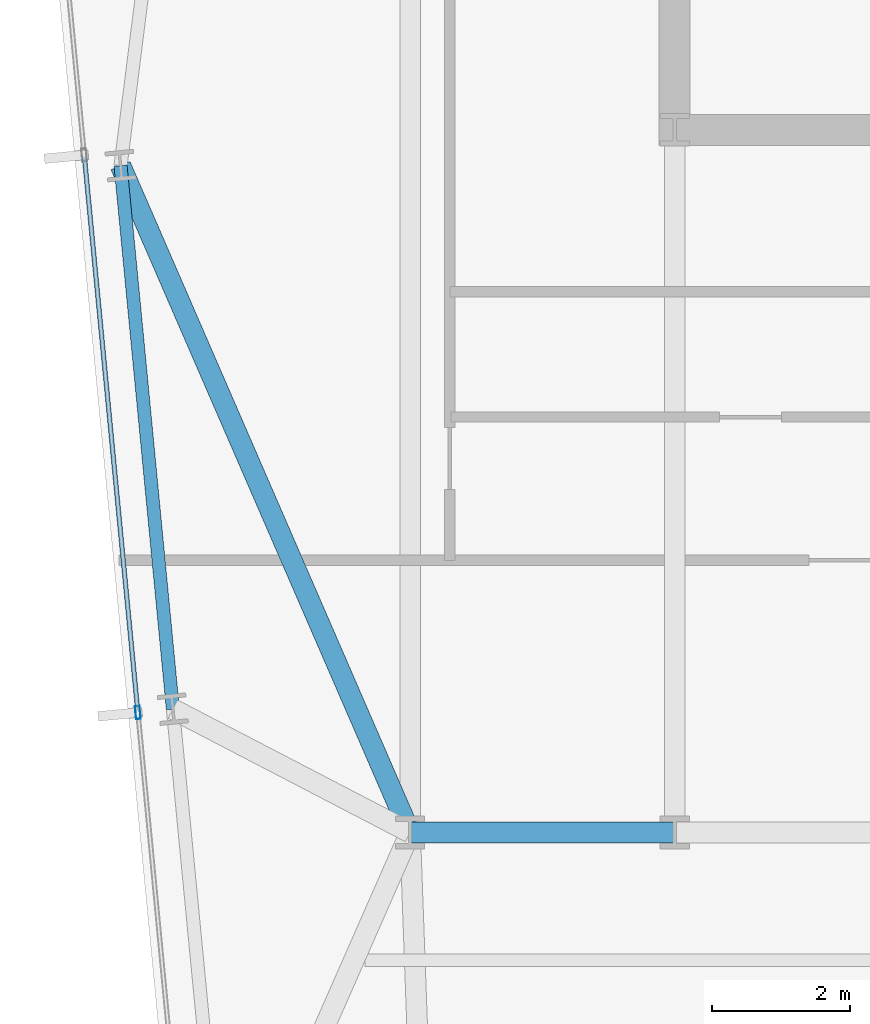
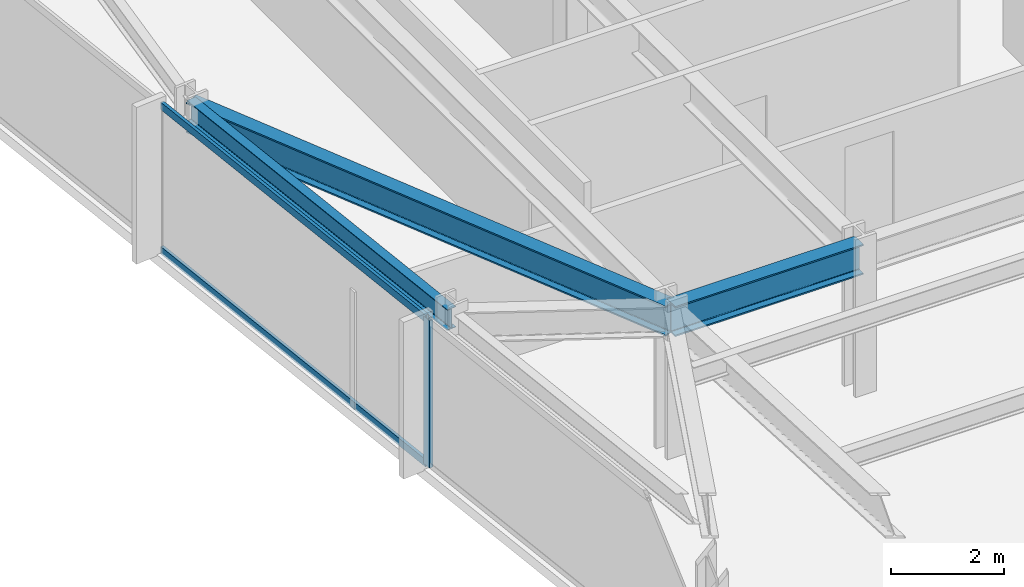
# One storey, part 6 of 32: 3 beams, 3 members, 1 element without a shape of its own.
"""IFC4 building model written with IfcOpenShell, lengths in metres."""

from ifc_helpers import new_model, si_unit, direction, frame, origin, origin_2d, place, context, subcontext, project, spatial, hollow_rectangle, i_section, extrude, material, material_profile, profile_set, type_object, element, aggregate, save


model = new_model("IFC4")

# Units and contexts
model_context = context("Model", 3, precision=1e-05, world=origin(), true_north=direction((0.0, 1.0)))
body_context = subcontext(model_context, "Body", "Model", "MODEL_VIEW")
ifc_project = project(units=[si_unit("LENGTHUNIT", "METRE"), si_unit("AREAUNIT", "SQUARE_METRE"), si_unit("VOLUMEUNIT", "CUBIC_METRE"), si_unit("PLANEANGLEUNIT", "RADIAN"), si_unit("MASSUNIT", "GRAM", prefix="KILO")], contexts=[model_context])

# Site, building, storey
site_placement = place(None, origin())
site = spatial("IfcSite", under=ifc_project, at=site_placement, CompositionType="ELEMENT")
building_placement = place(site_placement, origin())
building = spatial("IfcBuilding", under=site, at=building_placement, Name="Yelkora Congress Tower", CompositionType="ELEMENT")
storey_placement = place(building_placement, frame((0.0, 0.0, 113.5)))
storey = spatial("IfcBuildingStorey", under=building, at=storey_placement, Name="L30", CompositionType="ELEMENT", Elevation=113.5)

# Beams
ifc_material_1 = material(Name="Steel S355J2", Category="steel")
ifc_material_profile_1 = material_profile(ifc_material_1, i_section(OverallWidth=0.300048828125, OverallDepth=0.64990234375, WebThickness=0.01611328125, FlangeThickness=0.031005859375, FilletRadius=0.027099609375, at=origin_2d()), Name="HEB 650")
ifc_profile_set_1 = profile_set([ifc_material_profile_1], Name="Steel S355J2")
beam_type_1 = type_object("IfcBeamType", Name="BM-GIRD-HEB650", PredefinedType="BEAM", material=ifc_profile_set_1)
beam_1_placement = place(storey_placement, frame((19.199951171875, 25.199951171875, 2.85498046875), z_axis=(1.0, 0.0, 0.0), x_axis=(0.0, 1.0, 0.0)))
element("IfcBeam", 1, at=beam_1_placement, inside=storey, type_object=beam_type_1, Name="L30 Spine Grid D Girder 1", PredefinedType="BEAM", context=body_context, shape_type="SweptSolid", body=[
    extrude(i_section(OverallWidth=0.300048828125, OverallDepth=0.64990234375, WebThickness=0.01611328125, FlangeThickness=0.031005859375, FilletRadius=0.027099609375, at=origin_2d()), origin(), (0.0, 0.0, 1.0), 3.840087890625),
])
beam_2_placement = place(storey_placement, frame((14.997314453125, 34.87890625, 2.85498046875), z_axis=(0.398279362914, -0.917264165373, 0.0), x_axis=(0.917264165373, 0.398279362914, 0.0)))
element("IfcBeam", 2, at=beam_2_placement, inside=storey, type_object=beam_type_1, Name="L30 Primary Frame Girder W03", PredefinedType="BEAM", context=body_context, shape_type="SweptSolid", body=[
    extrude(i_section(OverallWidth=0.300048828125, OverallDepth=0.64990234375, WebThickness=0.01611328125, FlangeThickness=0.031005859375, FilletRadius=0.027099609375, at=origin_2d()), origin(), (0.0, 0.0, 1.0), 10.552001953125),
])
ifc_material_profile_2 = material_profile(ifc_material_1, i_section(OverallWidth=0.18994140625, OverallDepth=0.449951171875, WebThickness=0.009521484375, FlangeThickness=0.0146484375, FilletRadius=0.02099609375, at=origin_2d()), Name="IPE 450")
ifc_profile_set_2 = profile_set([ifc_material_profile_2], Name="Steel S355J2")
beam_type_2 = type_object("IfcBeamType", Name="BM-SPAN-IPE450", PredefinedType="SPANDREL", material=ifc_profile_set_2)
beam_3_placement = place(storey_placement, frame((14.997314453125, 34.87890625, 2.955078125), z_axis=(0.095870310714, -0.995393833376, 0.0), x_axis=(0.995393833376, 0.095870310714, 0.0)))
element("IfcBeam", 3, at=beam_3_placement, inside=storey, type_object=beam_type_2, Name="L30 Perimeter Beam 19", PredefinedType="SPANDREL", context=body_context, shape_type="SweptSolid", body=[
    extrude(i_section(OverallWidth=0.18994140625, OverallDepth=0.449951171875, WebThickness=0.009521484375, FlangeThickness=0.0146484375, FilletRadius=0.02099609375, at=origin_2d()), origin(), (0.0, 0.0, 1.0), 7.925048828125),
])

# Curtain wall, members
ifc_material_2 = material(Name="Anodised aluminium and insulated glass", Category="aluminium")
curtain_wall_type = type_object("IfcCurtainWallType", Name="CW-SYS-B2", PredefinedType="NOTDEFINED", material=ifc_material_2)
curtain_wall_placement = place(storey_placement, origin())
curtain_wall = element("IfcCurtainWall", 4, at=curtain_wall_placement, inside=storey, type_object=curtain_wall_type, Name="L30 Unitised Curtain Wall 5", PredefinedType="NOTDEFINED")
ifc_material_3 = material(Name="Anodised aluminium 6063-T6", Category="aluminium")
ifc_material_profile_3 = material_profile(ifc_material_3, hollow_rectangle(XDim=0.070068359375, YDim=0.18994140625, WallThickness=0.00390625, at=origin_2d()), Name="ALU 70x190x4")
ifc_profile_set_3 = profile_set([ifc_material_profile_3], Name="Anodised aluminium 6063-T6")
member_type_1 = type_object("IfcMemberType", Name="MEM-ML-B2", PredefinedType="MULLION", material=ifc_profile_set_3)
member_1_placement = place(storey_placement, frame((15.249267578125, 26.941650390625, 0.0), z_axis=(0.0, 0.0, 1.0), x_axis=(-0.995396507508, -0.095842541913, 0.0)))
member_1 = element("IfcMember", 5, at=member_1_placement, type_object=member_type_1, Name="CW-B2 mullion 3", PredefinedType="MULLION", context=body_context, shape_type="SweptSolid", body=[
    extrude(hollow_rectangle(XDim=0.070068359375, YDim=0.18994140625, WallThickness=0.00390625, at=origin_2d()), origin(), (0.0, 0.0, 1.0), 3.179931640625),
])
ifc_material_profile_4 = material_profile(ifc_material_3, hollow_rectangle(XDim=0.06494140625, YDim=0.159912109375, WallThickness=0.00390625, at=origin_2d()), Name="ALU 65x160x4")
ifc_profile_set_4 = profile_set([ifc_material_profile_4], Name="Anodised aluminium 6063-T6")
member_type_2 = type_object("IfcMemberType", Name="MEM-TR-B2", PredefinedType="USERDEFINED", material=ifc_profile_set_4)
member_2_placement = place(storey_placement, frame((15.245849609375, 26.976318359375, 0.032470703125), z_axis=(-0.095838228465, 0.995396922823, 0.0), x_axis=(-0.995396922823, -0.095838228465, 0.0)))
member_2 = element("IfcMember", 6, at=member_2_placement, type_object=member_type_2, Name="CW-B2 transom 3.1", ObjectType="TRANSOM", PredefinedType="USERDEFINED", context=body_context, shape_type="SweptSolid", body=[
    extrude(hollow_rectangle(XDim=0.06494140625, YDim=0.159912109375, WallThickness=0.00390625, at=origin_2d()), origin(), (0.0, 0.0, 1.0), 8.06005859375),
])
member_3_placement = place(storey_placement, frame((15.245849609375, 26.976318359375, 3.1474609375), z_axis=(-0.095838228465, 0.995396922823, 0.0), x_axis=(-0.995396922823, -0.095838228465, 0.0)))
member_3 = element("IfcMember", 7, at=member_3_placement, type_object=member_type_2, Name="CW-B2 transom 3.2", ObjectType="TRANSOM", PredefinedType="USERDEFINED", context=body_context, shape_type="SweptSolid", body=[
    extrude(hollow_rectangle(XDim=0.06494140625, YDim=0.159912109375, WallThickness=0.00390625, at=origin_2d()), origin(), (0.0, 0.0, 1.0), 8.06005859375),
])
aggregate(curtain_wall, [member_1, member_2, member_3])

save(model, "model.ifc")
